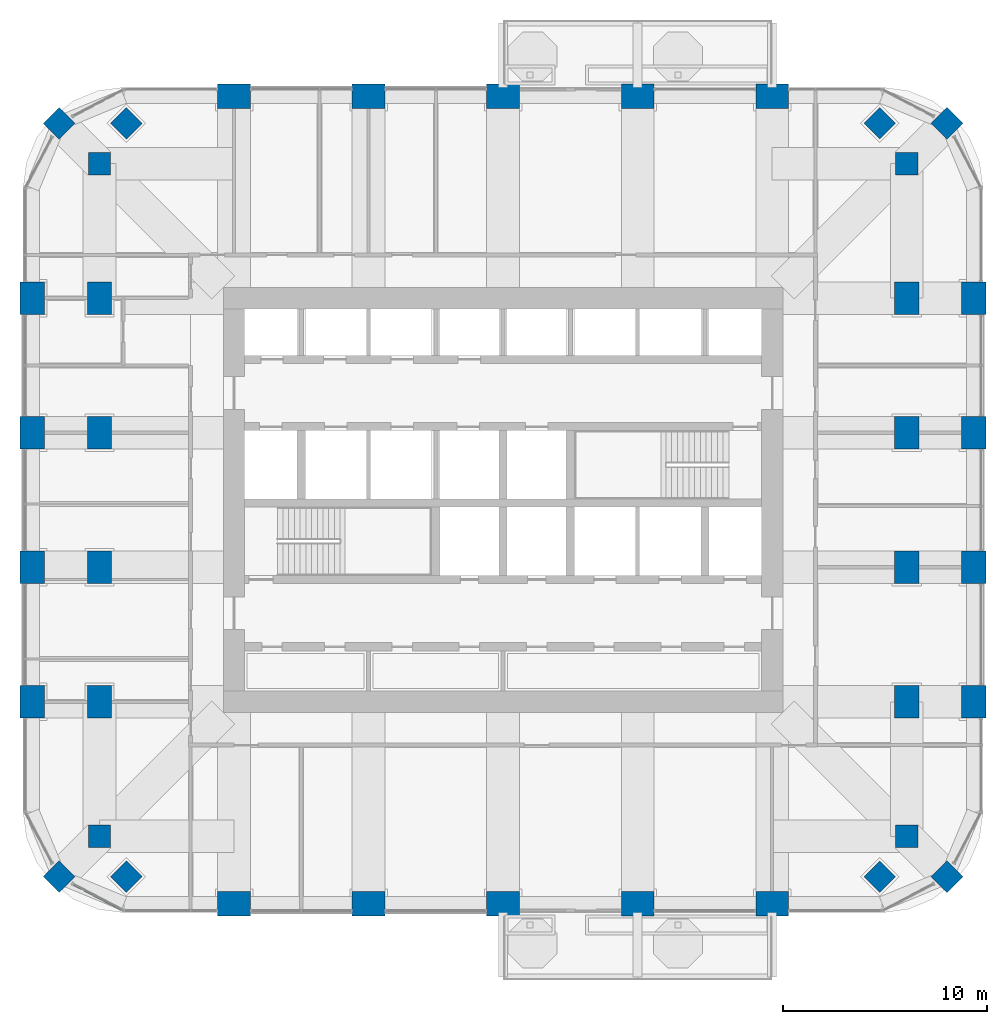
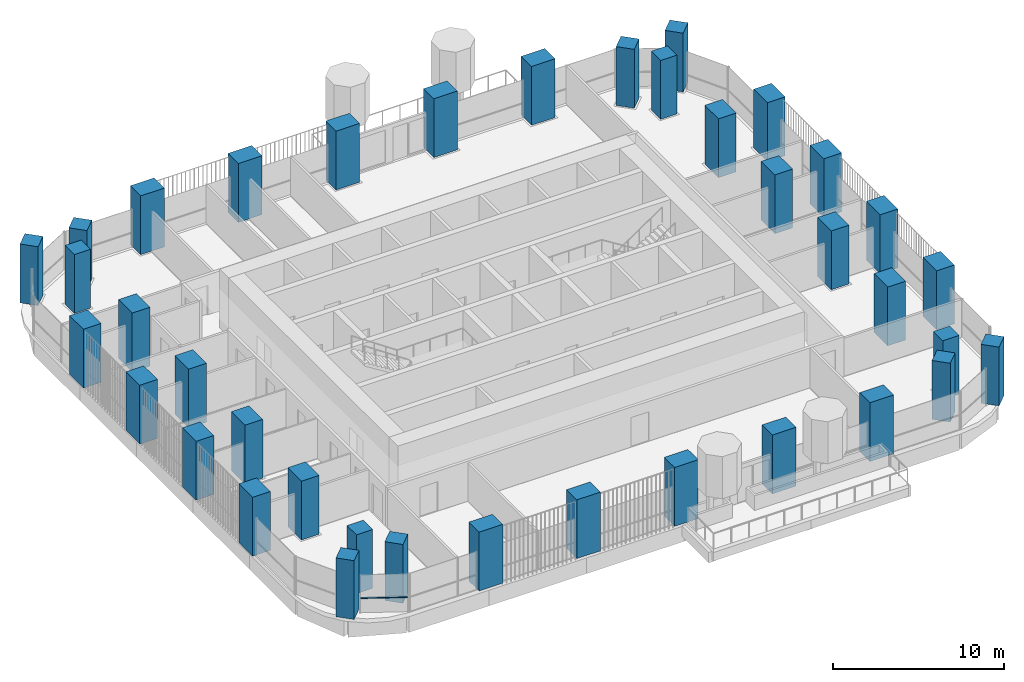
# One storey, part 1 of 19: 38 columns, 1 member, 1 element without a shape of its own.
"""IFC4 building model written with IfcOpenShell, lengths in metres."""

import ifcopenshell
import ifcopenshell.guid

model = None  # the IFC model being written
_history = None  # IfcOwnerHistory: only IFC2X3 demands one
_inside = {}  # id of a spatial element -> (the spatial element, [elements in it])
_under = {}  # id of a project, library or spatial element -> (it, [spatial elements below it])
_declared = {}  # id of a project -> (the project, [libraries it declares])
_typed = {}  # id of a type object -> (the type object, [elements of that type])
_made_of = {}  # id of a material, layer set ... -> (it, [elements and type objects made of it])


def new_model(schema):
    """Start an empty IFC model of exactly this schema.

    Asked for "IFC4X3", IfcOpenShell would pick the latest addendum, in which some entities
    have other attributes; the version numbers below select the first issue.
    IFC2X3 requires an IfcOwnerHistory on every rooted entity: one is made here for all.
    """
    global model, _history
    if schema == "IFC4X3":
        model = ifcopenshell.file(schema_version=(4, 3, 0, 0))
    else:
        model = ifcopenshell.file(schema=schema)
    _inside.clear()
    _under.clear()
    _declared.clear()
    _typed.clear()
    _made_of.clear()
    _history = None
    if model.schema == "IFC2X3":
        org = make("IfcOrganization", Name="unknown")
        user = make(
            "IfcPersonAndOrganization",
            ThePerson=make("IfcPerson", FamilyName="unknown"),
            TheOrganization=org,
        )
        app = make(
            "IfcApplication",
            ApplicationDeveloper=org,
            Version="unknown",
            ApplicationFullName="unknown",
            ApplicationIdentifier="unknown",
        )
        _history = make(
            "IfcOwnerHistory",
            OwningUser=user,
            OwningApplication=app,
            ChangeAction="ADDED",
            CreationDate=0,
        )
    return model


def make(cls, **values):
    """One entity of the class cls with the attributes given. An attribute that is None is left unset."""
    return model.create_entity(
        cls, **{name: value for name, value in values.items() if value is not None}
    )


def rooted(cls, **values):
    """An entity with a GlobalId (a new one), such as an element, a storey or a relation."""
    return make(cls, GlobalId=ifcopenshell.guid.new(), OwnerHistory=_history, **values)


def si_unit(unit_type, name, prefix=None):
    """IfcSIUnit, for example si_unit("LENGTHUNIT", "METRE", prefix="MILLI")."""
    return make("IfcSIUnit", UnitType=unit_type, Prefix=prefix, Name=name)


def assignment(units):
    """IfcUnitAssignment: the units of a project."""
    return None if units is None else make("IfcUnitAssignment", Units=units)


def point(xyz):
    """IfcCartesianPoint."""
    return None if xyz is None else make("IfcCartesianPoint", Coordinates=xyz)


def direction(xyz):
    """IfcDirection."""
    return None if xyz is None else make("IfcDirection", DirectionRatios=xyz)


def frame(location, z_axis=None, x_axis=None):
    """IfcAxis2Placement3D, a coordinate frame: its origin and axes. An axis left out is left unset."""
    return make(
        "IfcAxis2Placement3D",
        Location=point(location),
        Axis=direction(z_axis),
        RefDirection=direction(x_axis),
    )


def frame_2d(location, x_axis=None):
    """IfcAxis2Placement2D, a coordinate frame in the plane: its origin and x axis."""
    return make(
        "IfcAxis2Placement2D", Location=point(location), RefDirection=direction(x_axis)
    )


def origin():
    """The frame at (0, 0, 0) with its axes left unset."""
    return frame((0.0, 0.0, 0.0))


def origin_2d():
    """The frame at (0, 0) in the plane with its x axis left unset."""
    return frame_2d((0.0, 0.0))


def place(relative_to, where):
    """IfcLocalPlacement: puts the frame where relative to a parent placement (None: the world)."""
    return make(
        "IfcLocalPlacement", PlacementRelTo=relative_to, RelativePlacement=where
    )


def context(
    kind, dimensions, precision=None, world=None, true_north=None, identifier=None
):
    """IfcGeometricRepresentationContext, for example the 3D "Model" context."""
    return make(
        "IfcGeometricRepresentationContext",
        ContextIdentifier=identifier,
        ContextType=kind,
        CoordinateSpaceDimension=dimensions,
        Precision=precision,
        WorldCoordinateSystem=world,
        TrueNorth=true_north,
    )


def subcontext(parent, identifier, kind, view, scale=None):
    """IfcGeometricRepresentationSubContext, for example "Body" below "Model"."""
    return make(
        "IfcGeometricRepresentationSubContext",
        ContextIdentifier=identifier,
        ContextType=kind,
        ParentContext=parent,
        TargetScale=scale,
        TargetView=view,
    )


def project(units=None, contexts=None):
    """IfcProject with its units and contexts."""
    return rooted(
        "IfcProject",
        Name="project",
        RepresentationContexts=contexts,
        UnitsInContext=assignment(units),
    )


def spatial(cls, under=None, at=None, **own):
    """A site, building, storey or space (cls), placed at a placement, below another one or the project."""
    s = rooted(cls, ObjectPlacement=at, **own)
    if under is not None:
        _under.setdefault(under.id(), (under, []))[1].append(s)
    return s


def profile(cls, at=None, kind="AREA", **sizes):
    """A parametric profile (cls). Its sizes go by their IFC names, for example OverallWidth=200.0."""
    return make(cls, ProfileType=kind, Position=at, **sizes)


def rectangle(**sizes):
    """IfcRectangleProfileDef."""
    return profile("IfcRectangleProfileDef", **sizes)


def extrude(swept, where, along, depth):
    """IfcExtrudedAreaSolid: the profile swept, set in the frame where, extruded along a direction by depth."""
    return make(
        "IfcExtrudedAreaSolid",
        SweptArea=swept,
        Position=where,
        ExtrudedDirection=direction(along),
        Depth=depth,
    )


def shape(context_of_items, identifier, shape_type, items):
    """IfcShapeRepresentation: the items that make up one representation, for example the "Body"."""
    return make(
        "IfcShapeRepresentation",
        ContextOfItems=context_of_items,
        RepresentationIdentifier=identifier,
        RepresentationType=shape_type,
        Items=items,
    )


def material(Name=None, Category=None):
    """IfcMaterial."""
    return make("IfcMaterial", Name=Name, Category=Category)


def material_profile(
    of_material, cross_section, Name=None, Category=None, Priority=None
):
    """IfcMaterialProfile: a cross section and its material."""
    return make(
        "IfcMaterialProfile",
        Name=Name,
        Material=of_material,
        Profile=cross_section,
        Priority=Priority,
        Category=Category,
    )


def profile_set(profiles, Name=None, composite=None):
    """IfcMaterialProfileSet."""
    return make(
        "IfcMaterialProfileSet",
        Name=Name,
        MaterialProfiles=profiles,
        CompositeProfile=composite,
    )


def made_of(thing, what):
    """Note that an element or type object is made of a material, layer set ...; save() writes the relation."""
    if what is not None:
        _made_of.setdefault(what.id(), (what, []))[1].append(thing)
    return thing


def type_object(cls, material=None, **own):
    """A type object (cls), such as IfcWallType, which elements share."""
    return made_of(rooted(cls, **own), material)


def element(
    cls,
    number,
    at=None,
    inside=None,
    cuts=None,
    type_object=None,
    material=None,
    context=None,
    identifier="Body",
    shape_type=None,
    held_by="IfcProductDefinitionShape",
    body=None,
    shapes=None,
    **own,
):
    """One element of the class cls, such as IfcWall. Its Tag is "e" and its number.

    at: its placement. inside: the storey or other place that contains it. cuts: it is an
    opening in that element (IfcRelVoidsElement). A single representation is given by context,
    identifier, shape_type and body (its items); several are given by shapes. held_by: the class
    of the entity that holds the representations. save() writes the other relations.
    """
    e = rooted(cls, Tag="e%d" % number, ObjectPlacement=at, **own)
    if body is not None:
        shapes = [shape(context, identifier, shape_type, body)]
    if shapes is not None:
        e.Representation = make(held_by, Representations=shapes)
    if inside is not None:
        _inside.setdefault(inside.id(), (inside, []))[1].append(e)
    if cuts is not None:
        rooted(
            "IfcRelVoidsElement", RelatingBuildingElement=cuts, RelatedOpeningElement=e
        )
    if type_object is not None:
        _typed.setdefault(type_object.id(), (type_object, []))[1].append(e)
    return made_of(e, material)


def aggregate(whole, parts):
    """IfcRelAggregates: a whole, such as a stair, and the parts it consists of."""
    return rooted("IfcRelAggregates", RelatingObject=whole, RelatedObjects=parts)


def save(model, path):
    """Write the relations noted so far, then the file.

    IfcRelAggregates (storeys below a building ...), IfcRelContainedInSpatialStructure (elements
    in a storey), IfcRelDefinesByType, IfcRelAssociatesMaterial and IfcRelDeclares: one each for
    every whole, place, type object, material and project.
    """
    for whole, parts in _under.values():
        aggregate(whole, parts)
    for where, things in _inside.values():
        rooted(
            "IfcRelContainedInSpatialStructure",
            RelatedElements=things,
            RelatingStructure=where,
        )
    for kind, things in _typed.values():
        rooted("IfcRelDefinesByType", RelatedObjects=things, RelatingType=kind)
    for what, things in _made_of.values():
        rooted("IfcRelAssociatesMaterial", RelatedObjects=things, RelatingMaterial=what)
    for by, libraries in _declared.values():
        rooted("IfcRelDeclares", RelatingContext=by, RelatedDefinitions=libraries)
    model.write(path)


model = new_model("IFC4")

# Units and contexts
model_context = context("Model", 3, precision=1e-05, world=origin(), true_north=direction((0.0, 1.0)))
body_context = subcontext(model_context, "Body", "Model", "MODEL_VIEW")
ifc_project = project(units=[si_unit("LENGTHUNIT", "METRE"), si_unit("AREAUNIT", "SQUARE_METRE"), si_unit("VOLUMEUNIT", "CUBIC_METRE"), si_unit("PLANEANGLEUNIT", "RADIAN"), si_unit("MASSUNIT", "GRAM", prefix="KILO")], contexts=[model_context])

# Site, building, storey
site_placement = place(None, origin())
site = spatial("IfcSite", under=ifc_project, at=site_placement, CompositionType="ELEMENT")
building_placement = place(site_placement, origin())
building = spatial("IfcBuilding", under=site, at=building_placement, Name="Cobogo Forest Laboratory Tower", CompositionType="ELEMENT")
storey_placement = place(building_placement, frame((0.0, 0.0, 206.10009765625)))
storey = spatial("IfcBuildingStorey", under=building, at=storey_placement, Name="L47", CompositionType="ELEMENT", Elevation=206.10009765625)

# Columns
ifc_material_1 = material(Name="Concrete HA-50 (C50/60)", Category="concrete")
ifc_material_profile_1 = material_profile(ifc_material_1, rectangle(XDim=1.60009765625, YDim=1.199951171875, at=origin_2d()), Name="RC 1200x1600")
ifc_profile_set_1 = profile_set([ifc_material_profile_1], Name="Concrete HA-50 (C50/60)")
column_type_1 = type_object("IfcColumnType", Name="Blade column 1200x1600", PredefinedType="COLUMN", material=ifc_profile_set_1)
for number, where, z_axis, x_axis, name in (
    (1, (13.199951171875, 3.300048828125, 0.0), (0.0, 0.0, 1.0), (1.0, 0.0, 0.0), "Column 3-A.1 L47"),
    (2, (19.800048828125, 3.300048828125, 0.0), (0.0, 0.0, 1.0), (1.0, 0.0, 0.0), "Column 4-A.1 L47"),
    (3, (26.39990234375, 3.300048828125, 0.0), (0.0, 0.0, 1.0), (1.0, 0.0, 0.0), "Column 5-A.1 L47"),
    (4, (33.0, 3.300048828125, 0.0), (0.0, 0.0, 1.0), (1.0, 0.0, 0.0), "Column 6-A.1 L47"),
    (5, (39.60009765625, 3.300048828125, 0.0), (0.0, 0.0, 1.0), (1.0, 0.0, 0.0), "Column 7-A.1 L47"),
    (6, (3.300048828125, 13.199951171875, 0.0), (0.0, 0.0, 1.0), (0.0, 1.0, 0.0), "Column 1.1-C L47"),
    (7, (49.5, 13.199951171875, 0.0), (0.0, 0.0, 1.0), (0.0, 1.0, 0.0), "Column 8.1-C L47"),
    (8, (3.300048828125, 19.800048828125, 0.0), (0.0, 0.0, 1.0), (0.0, 1.0, 0.0), "Column 1.1-D L47"),
    (9, (49.5, 19.800048828125, 0.0), (0.0, 0.0, 1.0), (0.0, 1.0, 0.0), "Column 8.1-D L47"),
    (10, (3.300048828125, 26.39990234375, 0.0), (0.0, 0.0, 1.0), (0.0, 1.0, 0.0), "Column 1.1-E L47"),
    (11, (49.5, 26.39990234375, 0.0), (0.0, 0.0, 1.0), (0.0, 1.0, 0.0), "Column 8.1-E L47"),
    (12, (3.300048828125, 33.0, 0.0), (0.0, 0.0, 1.0), (0.0, 1.0, 0.0), "Column 1.1-F L47"),
    (13, (49.5, 33.0, 0.0), (0.0, 0.0, 1.0), (0.0, 1.0, 0.0), "Column 8.1-F L47"),
    (14, (13.199951171875, 42.89990234375, 0.0), (0.0, 0.0, 1.0), (1.0, 0.0, 0.0), "Column 3-G.1 L47"),
    (15, (19.800048828125, 42.89990234375, 0.0), (0.0, 0.0, 1.0), (1.0, 0.0, 0.0), "Column 4-G.1 L47"),
    (16, (26.39990234375, 42.89990234375, 0.0), (0.0, 0.0, 1.0), (1.0, 0.0, 0.0), "Column 5-G.1 L47"),
    (17, (33.0, 42.89990234375, 0.0), (0.0, 0.0, 1.0), (1.0, 0.0, 0.0), "Column 6-G.1 L47"),
    (18, (39.60009765625, 42.89990234375, 0.0), (0.0, 0.0, 1.0), (1.0, 0.0, 0.0), "Column 7-G.1 L47"),
    (19, (6.60009765625, 13.199951171875, 0.0), (0.0, 0.0, 1.0), (0.0, 1.0, 0.0), "Column 2-C-D L47"),
    (20, (46.199951171875, 13.199951171875, 0.0), (0.0, 0.0, 1.0), (0.0, 1.0, 0.0), "Column 8-C-D L47"),
    (21, (6.60009765625, 19.800048828125, 0.0), (0.0, 0.0, 1.0), (0.0, 1.0, 0.0), "Column 2-D-D L47"),
    (22, (46.199951171875, 19.800048828125, 0.0), (0.0, 0.0, 1.0), (0.0, 1.0, 0.0), "Column 8-D-D L47"),
    (23, (6.60009765625, 26.39990234375, 0.0), (0.0, 0.0, 1.0), (0.0, 1.0, 0.0), "Column 2-E-D L47"),
    (24, (46.199951171875, 26.39990234375, 0.0), (0.0, 0.0, 1.0), (0.0, 1.0, 0.0), "Column 8-E-D L47"),
    (25, (6.60009765625, 33.0, 0.0), (0.0, 0.0, 1.0), (0.0, 1.0, 0.0), "Column 2-F-D L47"),
    (26, (46.199951171875, 33.0, 0.0), (0.0, 0.0, 1.0), (0.0, 1.0, 0.0), "Column 8-F-D L47"),
):
    element("IfcColumn", number, at=place(storey_placement, frame(where, z_axis=z_axis, x_axis=x_axis)), inside=storey, type_object=column_type_1, Name=name, PredefinedType="COLUMN", context=body_context, shape_type="SweptSolid", body=[
        extrude(rectangle(XDim=1.60009765625, YDim=1.199951171875, at=origin_2d()), origin(), (0.0, 0.0, 1.0), 4.199951171875),
    ])
ifc_material_profile_2 = material_profile(ifc_material_1, rectangle(XDim=1.10009765625, YDim=1.10009765625, at=origin_2d()), Name="RC 1100x1100")
ifc_profile_set_2 = profile_set([ifc_material_profile_2], Name="Concrete HA-50 (C50/60)")
column_type_2 = type_object("IfcColumnType", Name="Column 1100x1100", PredefinedType="COLUMN", material=ifc_profile_set_2)
for number, where, z_axis, x_axis, name in (
    (27, (4.617919921875, 4.617919921875, 0.0), (0.0, 0.0, 1.0), (0.707106781187, 0.707106781187, 0.0), "Column CNR-SW L47"),
    (28, (48.181884765625, 4.617919921875, 0.0), (0.0, 0.0, 1.0), (0.707106781187, 0.707106781187, 0.0), "Column CNR-SE L47"),
    (29, (4.617919921875, 41.58203125, 0.0), (0.0, 0.0, 1.0), (0.707106781187, 0.707106781187, 0.0), "Column CNR-NW L47"),
    (30, (48.181884765625, 41.58203125, 0.0), (0.0, 0.0, 1.0), (0.707106781187, 0.707106781187, 0.0), "Column CNR-NE L47"),
    (31, (6.60009765625, 6.60009765625, 0.0), (0.0, 0.0, 1.0), (1.0, 0.0, 0.0), "Column 2-B L47"),
    (32, (46.199951171875, 6.60009765625, 0.0), (0.0, 0.0, 1.0), (1.0, 0.0, 0.0), "Column 8-B L47"),
    (33, (6.60009765625, 39.60009765625, 0.0), (0.0, 0.0, 1.0), (1.0, 0.0, 0.0), "Column 2-G L47"),
    (34, (46.199951171875, 39.60009765625, 0.0), (0.0, 0.0, 1.0), (1.0, 0.0, 0.0), "Column 8-G L47"),
    (35, (7.91796875, 4.617919921875, 0.0), (0.0, 0.0, 1.0), (0.707106781187, 0.707106781187, 0.0), "Column CNR-SW-D L47"),
    (36, (44.882080078125, 4.617919921875, 0.0), (0.0, 0.0, 1.0), (0.707106781187, 0.707106781187, 0.0), "Column CNR-SE-D L47"),
    (37, (7.91796875, 41.58203125, 0.0), (0.0, 0.0, 1.0), (0.707106781187, 0.707106781187, 0.0), "Column CNR-NW-D L47"),
    (38, (44.882080078125, 41.58203125, 0.0), (0.0, 0.0, 1.0), (0.707106781187, 0.707106781187, 0.0), "Column CNR-NE-D L47"),
):
    element("IfcColumn", number, at=place(storey_placement, frame(where, z_axis=z_axis, x_axis=x_axis)), inside=storey, type_object=column_type_2, Name=name, PredefinedType="COLUMN", context=body_context, shape_type="SweptSolid", body=[
        extrude(rectangle(XDim=1.10009765625, YDim=1.10009765625, at=origin_2d()), origin(), (0.0, 0.0, 1.0), 4.199951171875),
    ])

# Curtain wall, member
ifc_material_2 = material(Name="Aluminium curtain wall", Category="aluminium")
curtain_wall_type = type_object("IfcCurtainWallType", Name="CW-2 unitised curtain wall, solar control glazing, laboratory floors zones C and D", PredefinedType="USERDEFINED", material=ifc_material_2)
curtain_wall_placement = place(storey_placement, origin())
curtain_wall = element("IfcCurtainWall", 39, at=curtain_wall_placement, inside=storey, type_object=curtain_wall_type, Name="Curtain wall 30 L47", ObjectType="UNITISED CURTAIN WALL", PredefinedType="USERDEFINED")
ifc_material_3 = material(Name="Aluminium transom", Category="aluminium")
ifc_material_profile_3 = material_profile(ifc_material_3, rectangle(XDim=0.1201171875, YDim=0.06005859375, at=origin_2d()), Name="AL 60x120")
ifc_profile_set_3 = profile_set([ifc_material_profile_3], Name="Aluminium transom")
member_type = type_object("IfcMemberType", Name="TR-1 aluminium transom 60x120", PredefinedType="USERDEFINED", material=ifc_profile_set_3)
member_placement = place(storey_placement, frame((5.302001953125, 4.259521484375, 1.0498046875), z_axis=(0.885665294301, -0.464324225592, 0.0), x_axis=(0.464324225592, 0.885665294301, 0.0)))
member = element("IfcMember", 40, at=member_placement, type_object=member_type, Name="CW-2 transom 1.1", ObjectType="TRANSOM", PredefinedType="USERDEFINED", context=body_context, shape_type="SweptSolid", body=[
    extrude(rectangle(XDim=0.1201171875, YDim=0.06005859375, at=origin_2d()), origin(), (0.0, 0.0, 1.0), 2.760498046875),
])
aggregate(curtain_wall, [member])

save(model, "model.ifc")
